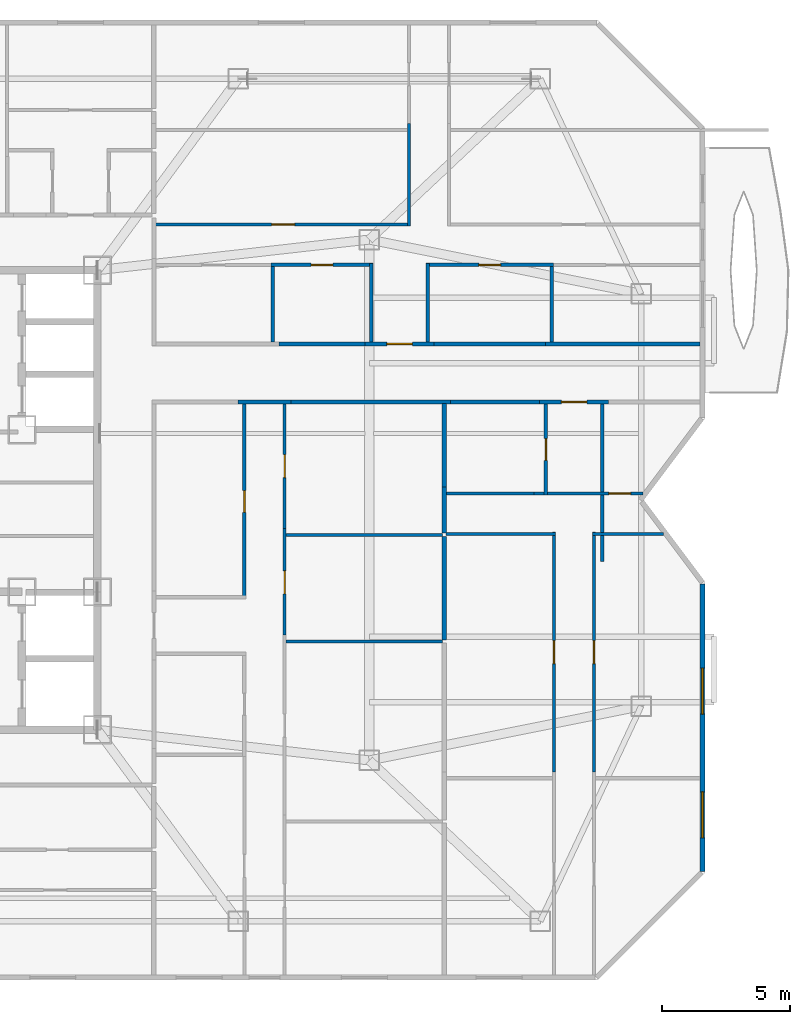
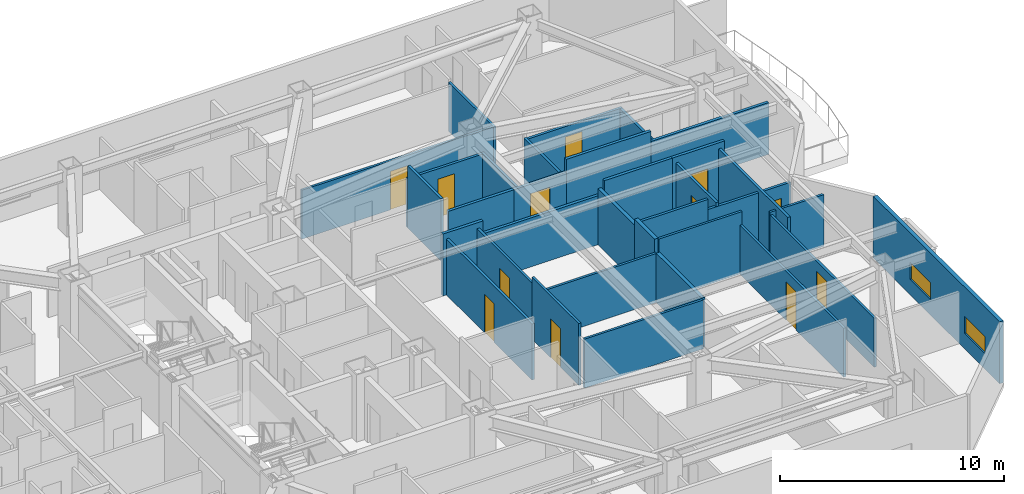
# One storey, part 16 of 20: 33 walls, 12 doors, 2 windows, 14 openings.
"""IFC4 building model written with IfcOpenShell, lengths in metres."""

from ifc_helpers import new_model, si_unit, direction, frame, frame_2d, origin, place, context, subcontext, project, spatial, rectangle, extrude, material, layer, layer_set, type_object, element, fill, save


model = new_model("IFC4")

# Units and contexts
model_context = context("Model", 3, precision=1e-05, world=origin(), true_north=direction((0.0, 1.0)))
body_context = subcontext(model_context, "Body", "Model", "MODEL_VIEW")
ifc_project = project(units=[si_unit("LENGTHUNIT", "METRE"), si_unit("AREAUNIT", "SQUARE_METRE"), si_unit("VOLUMEUNIT", "CUBIC_METRE"), si_unit("PLANEANGLEUNIT", "RADIAN"), si_unit("MASSUNIT", "GRAM", prefix="KILO")], contexts=[model_context])

# Site, building, storey
site_placement = place(None, origin())
site = spatial("IfcSite", under=ifc_project, at=site_placement, CompositionType="ELEMENT")
building_placement = place(site_placement, origin())
building = spatial("IfcBuilding", under=site, at=building_placement, Name="Khamvora Tower", CompositionType="ELEMENT")
storey_placement = place(building_placement, frame((0.0, 0.0, 203.35009765625)))
storey = spatial("IfcBuildingStorey", under=building, at=storey_placement, Name="L52", CompositionType="ELEMENT", Elevation=203.35009765625)

# Walls
ifc_material_1 = material(Name="Fire-Rated Drywall and Steel Stud", Category="steel")
ifc_layer_1 = layer(ifc_material_1, 0.14990234375)
ifc_layer_set_1 = layer_set([ifc_layer_1], Name="Fire-Rated Drywall and Steel Stud")
wall_type_1 = type_object("IfcWallType", Name="WAL-CORR-150", PredefinedType="STANDARD", material=ifc_layer_set_1)
wall_1_placement = place(storey_placement, frame((46.987060546875, 31.8349609375, 0.0), z_axis=(0.0, 0.0, 1.0), x_axis=(-1.0, 0.0, 0.0)))
element("IfcWall", 1, at=wall_1_placement, inside=storey, type_object=wall_type_1, Name="L52 interior partition wall 026", PredefinedType="STANDARD", context=body_context, shape_type="SweptSolid", body=[
    extrude(rectangle(XDim=2.078125, YDim=0.14990234375, at=frame_2d((1.0390625, 0.0))), origin(), (0.0, 0.0, 1.0), 3.369873046875),
])
wall_2_placement = place(storey_placement, frame((53.23388671875, 31.8349609375, 0.0), z_axis=(0.0, 0.0, 1.0), x_axis=(-1.0, 0.0, 0.0)))
element("IfcWall", 2, at=wall_2_placement, inside=storey, type_object=wall_type_1, Name="L52 interior partition wall 031", PredefinedType="STANDARD", context=body_context, shape_type="SweptSolid", body=[
    extrude(rectangle(XDim=6.246826171875, YDim=0.14990234375, at=frame_2d((3.12353515625, 0.0))), origin(), (0.0, 0.0, 1.0), 2.664794921875),
])

# Wall, opening, door
wall_3_placement = place(storey_placement, frame((59.4189453125, 31.8349609375, 0.0), z_axis=(0.0, 0.0, 1.0), x_axis=(-1.0, 0.0, 0.0)))
wall_3 = element("IfcWall", 3, at=wall_3_placement, inside=storey, type_object=wall_type_1, Name="L52 interior partition wall 032", PredefinedType="STANDARD", context=body_context, shape_type="SweptSolid", body=[
    extrude(rectangle(XDim=2.697998046875, YDim=0.14990234375, at=frame_2d((1.34912109375, 0.0))), origin(), (0.0, 0.0, 1.0), 3.369873046875),
])
opening_1_placement = place(wall_3_placement, frame((0.84912109375, 0.0, 0.0)))
opening_1 = element("IfcOpeningElement", 4, at=opening_1_placement, cuts=wall_3, Name="Opening D-U1", PredefinedType="OPENING", context=body_context, shape_type="SweptSolid", body=[
    extrude(rectangle(XDim=1.0, YDim=2.14990234375, at=frame_2d((0.5, 1.074951171875))), frame((0.0, 0.0849609375, 0.0), z_axis=(0.0, -1.0, 0.0), x_axis=(1.0, 0.0, 0.0)), (0.0, 0.0, 1.0), 0.169921875),
])
ifc_material_2 = material(Name="Powder-Coated Steel and Hardwood Leaf", Category="steel")
door_type_1 = type_object("IfcDoorType", Name="DOR-UNIT-1000", OperationType="NOTDEFINED", PredefinedType="DOOR", material=ifc_material_2)
door_1_placement = place(opening_1_placement, origin())
door_1 = element("IfcDoor", 5, at=door_1_placement, inside=storey, type_object=door_type_1, Name="L52 interior door COR-52EBH", OperationType="SINGLE_SWING_LEFT", OverallHeight=2.14990234375, OverallWidth=1.0, PredefinedType="DOOR", context=body_context, shape_type="SweptSolid", body=[
    extrude(rectangle(XDim=1.0, YDim=2.14990234375, at=frame_2d((0.5, 1.074951171875))), frame((0.0, 0.02490234375, 0.0), z_axis=(0.0, -1.0, 0.0), x_axis=(1.0, 0.0, 0.0)), (0.0, 0.0, 1.0), 0.050048828125),
])
fill(opening_1, door_1)

# Walls
wall_4_placement = place(storey_placement, frame((56.720947265625, 31.8349609375, 0.0), z_axis=(0.0, 0.0, 1.0), x_axis=(-1.0, 0.0, 0.0)))
element("IfcWall", 6, at=wall_4_placement, inside=storey, type_object=wall_type_1, Name="L52 interior partition wall 034", PredefinedType="STANDARD", context=body_context, shape_type="SweptSolid", body=[
    extrude(rectangle(XDim=3.487060546875, YDim=0.14990234375, at=frame_2d((1.74365234375, 0.0))), origin(), (0.0, 0.0, 1.0), 3.369873046875),
])
wall_5_placement = place(storey_placement, frame((56.950927734375, 34.114990234375, 0.0), z_axis=(0.0, 0.0, 1.0), x_axis=(1.0, 0.0, 0.0)))
element("IfcWall", 7, at=wall_5_placement, inside=storey, type_object=wall_type_1, Name="L52 interior partition wall 037", PredefinedType="STANDARD", context=body_context, shape_type="SweptSolid", body=[
    extrude(rectangle(XDim=6.05712890625, YDim=0.14990234375, at=frame_2d((3.028564453125, 0.0))), origin(), (0.0, 0.0, 1.0), 2.81591796875),
])

# Wall, opening, door
wall_6_placement = place(storey_placement, frame((49.885986328125, 34.114990234375, 0.0), z_axis=(0.0, 0.0, 1.0), x_axis=(1.0, 0.0, 0.0)))
wall_6 = element("IfcWall", 8, at=wall_6_placement, inside=storey, type_object=wall_type_1, Name="L52 interior partition wall 039", PredefinedType="STANDARD", context=body_context, shape_type="SweptSolid", body=[
    extrude(rectangle(XDim=2.697998046875, YDim=0.14990234375, at=frame_2d((1.34912109375, 0.0))), origin(), (0.0, 0.0, 1.0), 2.664794921875),
])
opening_2_placement = place(wall_6_placement, frame((0.84912109375, 0.0, 0.0)))
opening_2 = element("IfcOpeningElement", 9, at=opening_2_placement, cuts=wall_6, Name="Opening D-U1", PredefinedType="OPENING", context=body_context, shape_type="SweptSolid", body=[
    extrude(rectangle(XDim=1.0, YDim=2.14990234375, at=frame_2d((0.5, 1.074951171875))), frame((0.0, 0.0849609375, 0.0), z_axis=(0.0, -1.0, 0.0), x_axis=(1.0, 0.0, 0.0)), (0.0, 0.0, 1.0), 0.169921875),
])
door_2_placement = place(opening_2_placement, origin())
door_2 = element("IfcDoor", 10, at=door_2_placement, inside=storey, type_object=door_type_1, Name="L52 interior door COR-52ECH", OperationType="SINGLE_SWING_RIGHT", OverallHeight=2.14990234375, OverallWidth=1.0, PredefinedType="DOOR", context=body_context, shape_type="SweptSolid", body=[
    extrude(rectangle(XDim=1.0, YDim=2.14990234375, at=frame_2d((0.5, 1.074951171875))), frame((0.0, 0.02490234375, 0.0), z_axis=(0.0, -1.0, 0.0), x_axis=(1.0, 0.0, 0.0)), (0.0, 0.0, 1.0), 0.050048828125),
])
fill(opening_2, door_2)

# Walls
wall_7_placement = place(storey_placement, frame((46.51904296875, 34.114990234375, 0.0), z_axis=(0.0, 0.0, 1.0), x_axis=(1.0, 0.0, 0.0)))
element("IfcWall", 11, at=wall_7_placement, inside=storey, type_object=wall_type_1, Name="L52 interior partition wall 040", PredefinedType="STANDARD", context=body_context, shape_type="SweptSolid", body=[
    extrude(rectangle(XDim=3.366943359375, YDim=0.14990234375, at=frame_2d((1.68359375, 0.0))), origin(), (0.0, 0.0, 1.0), 2.664794921875),
])
wall_8_placement = place(storey_placement, frame((52.583984375, 34.114990234375, 0.0), z_axis=(0.0, 0.0, 1.0), x_axis=(1.0, 0.0, 0.0)))
element("IfcWall", 12, at=wall_8_placement, inside=storey, type_object=wall_type_1, Name="L52 interior partition wall 041", PredefinedType="STANDARD", context=body_context, shape_type="SweptSolid", body=[
    extrude(rectangle(XDim=4.366943359375, YDim=0.14990234375, at=frame_2d((2.18359375, 0.0))), origin(), (0.0, 0.0, 1.0), 3.369873046875),
])
ifc_material_3 = material(Name="Acoustic Double-Stud Fire Wall", Category="gypsum")
ifc_layer_2 = layer(ifc_material_3, 0.179931640625)
ifc_layer_set_2 = layer_set([ifc_layer_2], Name="Acoustic Double-Stud Fire Wall")
wall_type_2 = type_object("IfcWallType", Name="WAL-CORR-180", PredefinedType="STANDARD", material=ifc_layer_set_2)
wall_9_placement = place(storey_placement, frame((52.985107421875, 26.570068359375, 0.0), z_axis=(0.0, 0.0, 1.0), x_axis=(0.0, -1.0, 0.0)))
element("IfcWall", 13, at=wall_9_placement, inside=storey, type_object=wall_type_2, Name="L52 interior partition wall 118", PredefinedType="STANDARD", context=body_context, shape_type="SweptSolid", body=[
    extrude(rectangle(XDim=4.045166015625, YDim=0.179931640625, at=frame_2d((2.0224609375, 0.0))), origin(), (0.0, 0.0, 1.0), 2.68701171875),
])
wall_10_placement = place(storey_placement, frame((52.985107421875, 28.50390625, 0.0), z_axis=(0.0, 0.0, 1.0), x_axis=(0.0, -1.0, 0.0)))
element("IfcWall", 14, at=wall_10_placement, inside=storey, type_object=wall_type_2, Name="L52 interior partition wall 119", PredefinedType="STANDARD", context=body_context, shape_type="SweptSolid", body=[
    extrude(rectangle(XDim=1.803955078125, YDim=0.179931640625, at=frame_2d((0.90185546875, 0.0))), origin(), (0.0, 0.0, 1.0), 3.369873046875),
])
wall_11_placement = place(storey_placement, frame((52.985107421875, 31.77001953125, 0.0), z_axis=(0.0, 0.0, 1.0), x_axis=(0.0, -1.0, 0.0)))
element("IfcWall", 15, at=wall_11_placement, inside=storey, type_object=wall_type_2, Name="L52 interior partition wall 120", PredefinedType="STANDARD", context=body_context, shape_type="SweptSolid", body=[
    extrude(rectangle(XDim=3.26611328125, YDim=0.179931640625, at=frame_2d((1.633056640625, 0.0))), origin(), (0.0, 0.0, 1.0), 3.046875),
])

# Wall, openings, windows
ifc_material_4 = material(Name="Precast concrete C40/50", Category="concrete")
ifc_layer_3 = layer(ifc_material_4, 0.199951171875)
ifc_layer_set_3 = layer_set([ifc_layer_3], Name="Precast concrete C40/50")
wall_type_3 = type_object("IfcWallType", Name="WAL-EXT-200", PredefinedType="STANDARD", material=ifc_layer_set_3)
wall_12_placement = place(storey_placement, frame((63.10009765625, 24.717041015625, 0.0), z_axis=(0.0, 0.0, 1.0), x_axis=(0.0, -1.0, 0.0)))
wall_12 = element("IfcWall", 16, at=wall_12_placement, inside=storey, type_object=wall_type_3, Name="L52 exterior facade wall 12.1", PredefinedType="STANDARD", context=body_context, shape_type="SweptSolid", body=[
    extrude(rectangle(XDim=11.276123046875, YDim=0.199951171875, at=frame_2d((5.63818359375, 0.0))), origin(), (0.0, 0.0, 1.0), 3.369873046875),
])
opening_3_placement = place(wall_12_placement, frame((8.153076171875, 0.0, 0.85009765625)))
opening_3 = element("IfcOpeningElement", 17, at=opening_3_placement, cuts=wall_12, Name="Opening WN-09", PredefinedType="OPENING", context=body_context, shape_type="SweptSolid", body=[
    extrude(rectangle(XDim=1.800048828125, YDim=0.919921875, at=frame_2d((0.89990234375, 0.4599609375))), frame((0.0, 0.10986328125, 0.0), z_axis=(0.0, -1.0, 0.0), x_axis=(1.0, 0.0, 0.0)), (0.0, 0.0, 1.0), 0.219970703125),
])
opening_4_placement = place(wall_12_placement, frame((3.299072265625, 0.0, 0.85009765625)))
opening_4 = element("IfcOpeningElement", 18, at=opening_4_placement, cuts=wall_12, Name="Opening WN-09", PredefinedType="OPENING", context=body_context, shape_type="SweptSolid", body=[
    extrude(rectangle(XDim=1.800048828125, YDim=0.919921875, at=frame_2d((0.89990234375, 0.4599609375))), frame((0.0, 0.10986328125, 0.0), z_axis=(0.0, -1.0, 0.0), x_axis=(1.0, 0.0, 0.0)), (0.0, 0.0, 1.0), 0.219970703125),
])
ifc_material_5 = material(Name="Low-E Laminated Double Glazing", Category="glass")
window_type = type_object("IfcWindowType", Name="WIN-CLR-1800x920", PartitioningType="SINGLE_PANEL", PredefinedType="WINDOW", material=ifc_material_5)
window_1_placement = place(opening_3_placement, origin())
window_1 = element("IfcWindow", 19, at=window_1_placement, inside=storey, type_object=window_type, Name="L52 vision window 12.1.01", OverallHeight=0.919921875, OverallWidth=1.800048828125, PartitioningType="SINGLE_PANEL", PredefinedType="WINDOW", context=body_context, shape_type="SweptSolid", body=[
    extrude(rectangle(XDim=1.800048828125, YDim=0.919921875, at=frame_2d((0.89990234375, 0.4599609375))), frame((0.0, 0.030029296875, 0.0), z_axis=(0.0, -1.0, 0.0), x_axis=(1.0, 0.0, 0.0)), (0.0, 0.0, 1.0), 0.06005859375),
])
fill(opening_3, window_1)
window_2_placement = place(opening_4_placement, origin())
window_2 = element("IfcWindow", 20, at=window_2_placement, inside=storey, type_object=window_type, Name="L52 vision window 12.1.02", OverallHeight=0.919921875, OverallWidth=1.800048828125, PartitioningType="SINGLE_PANEL", PredefinedType="WINDOW", context=body_context, shape_type="SweptSolid", body=[
    extrude(rectangle(XDim=1.800048828125, YDim=0.919921875, at=frame_2d((0.89990234375, 0.4599609375))), frame((0.0, 0.030029296875, 0.0), z_axis=(0.0, -1.0, 0.0), x_axis=(1.0, 0.0, 0.0)), (0.0, 0.0, 1.0), 0.06005859375),
])
fill(opening_4, window_2)

# Wall, opening, door
ifc_material_6 = material(Name="Gypsum Plasterboard Partition", Category="gypsum")
ifc_layer_4 = layer(ifc_material_6, 0.1201171875)
ifc_layer_set_4 = layer_set([ifc_layer_4], Name="Gypsum Plasterboard Partition")
wall_type_4 = type_object("IfcWallType", Name="WAL-PART-120", PredefinedType="PARTITIONING", material=ifc_layer_set_4)
wall_13_placement = place(storey_placement, frame((46.738037109375, 26.884033203125, 0.0), z_axis=(0.0, 0.0, 1.0), x_axis=(0.0, -1.0, 0.0)))
wall_13 = element("IfcWall", 21, at=wall_13_placement, inside=storey, type_object=wall_type_4, Name="L52 interior partition wall 110", PredefinedType="PARTITIONING", context=body_context, shape_type="SweptSolid", body=[
    extrude(rectangle(XDim=4.174072265625, YDim=0.1201171875, at=frame_2d((2.0869140625, 0.0))), origin(), (0.0, 0.0, 1.0), 3.369873046875),
])
opening_5_placement = place(wall_13_placement, frame((1.657958984375, 0.0, 0.0)))
opening_5 = element("IfcOpeningElement", 22, at=opening_5_placement, cuts=wall_13, Name="Opening D-RM1", PredefinedType="OPENING", context=body_context, shape_type="SweptSolid", body=[
    extrude(rectangle(XDim=0.89990234375, YDim=2.10009765625, at=frame_2d((0.449951171875, 1.050048828125))), frame((0.0, 0.070068359375, 0.0), z_axis=(0.0, -1.0, 0.0), x_axis=(1.0, 0.0, 0.0)), (0.0, 0.0, 1.0), 0.14013671875),
])
door_type_2 = type_object("IfcDoorType", Name="DOR-ROOM-900", OperationType="NOTDEFINED", PredefinedType="DOOR", material=ifc_material_2)
door_3_placement = place(opening_5_placement, origin())
door_3 = element("IfcDoor", 23, at=door_3_placement, inside=storey, type_object=door_type_2, Name="L52 interior door 52EAH-52EAR3", OperationType="SINGLE_SWING_RIGHT", OverallHeight=2.10009765625, OverallWidth=0.89990234375, PredefinedType="DOOR", context=body_context, shape_type="SweptSolid", body=[
    extrude(rectangle(XDim=0.89990234375, YDim=2.10009765625, at=frame_2d((0.449951171875, 1.050048828125))), frame((0.0, 0.02490234375, 0.0), z_axis=(0.0, -1.0, 0.0), x_axis=(1.0, 0.0, 0.0)), (0.0, 0.0, 1.0), 0.050048828125),
])
fill(opening_5, door_3)

wall_14_placement = place(storey_placement, frame((46.738037109375, 31.77001953125, 0.0), z_axis=(0.0, 0.0, 1.0), x_axis=(0.0, -1.0, 0.0)))
wall_14 = element("IfcWall", 24, at=wall_14_placement, inside=storey, type_object=wall_type_4, Name="L52 interior partition wall 111", PredefinedType="PARTITIONING", context=body_context, shape_type="SweptSolid", body=[
    extrude(rectangle(XDim=4.885986328125, YDim=0.1201171875, at=frame_2d((2.44287109375, 0.0))), origin(), (0.0, 0.0, 1.0), 3.046875),
])
opening_6_placement = place(wall_14_placement, frame((1.992919921875, 0.0, 0.0)))
opening_6 = element("IfcOpeningElement", 25, at=opening_6_placement, cuts=wall_14, Name="Opening D-RM1", PredefinedType="OPENING", context=body_context, shape_type="SweptSolid", body=[
    extrude(rectangle(XDim=0.89990234375, YDim=2.10009765625, at=frame_2d((0.449951171875, 1.050048828125))), frame((0.0, 0.070068359375, 0.0), z_axis=(0.0, -1.0, 0.0), x_axis=(1.0, 0.0, 0.0)), (0.0, 0.0, 1.0), 0.14013671875),
])
door_4_placement = place(opening_6_placement, origin())
door_4 = element("IfcDoor", 26, at=door_4_placement, inside=storey, type_object=door_type_2, Name="L52 interior door 52EAH-52EAR4", OperationType="SINGLE_SWING_LEFT", OverallHeight=2.10009765625, OverallWidth=0.89990234375, PredefinedType="DOOR", context=body_context, shape_type="SweptSolid", body=[
    extrude(rectangle(XDim=0.89990234375, YDim=2.10009765625, at=frame_2d((0.449951171875, 1.050048828125))), frame((0.0, 0.02490234375, 0.0), z_axis=(0.0, -1.0, 0.0), x_axis=(1.0, 0.0, 0.0)), (0.0, 0.0, 1.0), 0.050048828125),
])
fill(opening_6, door_4)

# Walls
for number, where, z_axis, x_axis, name in (
    (27, (46.7919921875, 22.4599609375, 0.0), (0.0, 0.0, 1.0), (1.0, 0.0, 0.0), "L52 interior partition wall 114"),
    (28, (46.7919921875, 26.635009765625, 0.0), (0.0, 0.0, 1.0), (1.0, 0.0, 0.0), "L52 interior partition wall 117"),
):
    element("IfcWall", number, at=place(storey_placement, frame(where, z_axis=z_axis, x_axis=x_axis)), inside=storey, type_object=wall_type_4, Name=name, PredefinedType="PARTITIONING", context=body_context, shape_type="SweptSolid", body=[
        extrude(rectangle(XDim=6.1279296875, YDim=0.1201171875, at=frame_2d((3.06396484375, 0.0))), origin(), (0.0, 0.0, 1.0), 2.664794921875),
    ])

# Wall, opening, door
wall_15_placement = place(storey_placement, frame((57.284912109375, 17.35205078125, 0.0), z_axis=(0.0, 0.0, 1.0), x_axis=(0.0, 1.0, 0.0)))
wall_15 = element("IfcWall", 29, at=wall_15_placement, inside=storey, type_object=wall_type_4, Name="L52 interior partition wall 126", PredefinedType="PARTITIONING", context=body_context, shape_type="SweptSolid", body=[
    extrude(rectangle(XDim=9.387939453125, YDim=0.1201171875, at=frame_2d((4.69384765625, 0.0))), origin(), (0.0, 0.0, 1.0), 2.664794921875),
])
opening_7_placement = place(wall_15_placement, frame((4.243896484375, 0.0, 0.0)))
opening_7 = element("IfcOpeningElement", 30, at=opening_7_placement, cuts=wall_15, Name="Opening D-RM1", PredefinedType="OPENING", context=body_context, shape_type="SweptSolid", body=[
    extrude(rectangle(XDim=0.89990234375, YDim=2.10009765625, at=frame_2d((0.449951171875, 1.050048828125))), frame((0.0, 0.070068359375, 0.0), z_axis=(0.0, -1.0, 0.0), x_axis=(1.0, 0.0, 0.0)), (0.0, 0.0, 1.0), 0.14013671875),
])
door_5_placement = place(opening_7_placement, origin())
door_5 = element("IfcDoor", 31, at=door_5_placement, inside=storey, type_object=door_type_2, Name="L52 interior door 52EBH-52EBR2", OperationType="SINGLE_SWING_LEFT", OverallHeight=2.10009765625, OverallWidth=0.89990234375, PredefinedType="DOOR", context=body_context, shape_type="SweptSolid", body=[
    extrude(rectangle(XDim=0.89990234375, YDim=2.10009765625, at=frame_2d((0.449951171875, 1.050048828125))), frame((0.0, 0.02490234375, 0.0), z_axis=(0.0, -1.0, 0.0), x_axis=(1.0, 0.0, 0.0)), (0.0, 0.0, 1.0), 0.050048828125),
])
fill(opening_7, door_5)

# Walls
wall_16_placement = place(storey_placement, frame((57.35009765625, 26.675048828125, 0.0), z_axis=(0.0, 0.0, 1.0), x_axis=(-1.0, 0.0, 0.0)))
element("IfcWall", 32, at=wall_16_placement, inside=storey, type_object=wall_type_4, Name="L52 interior partition wall 127", PredefinedType="PARTITIONING", context=body_context, shape_type="SweptSolid", body=[
    extrude(rectangle(XDim=4.2880859375, YDim=0.1201171875, at=frame_2d((2.14404296875, 0.0))), origin(), (0.0, 0.0, 1.0), 3.369873046875),
])
wall_17_placement = place(storey_placement, frame((61.56494140625, 26.675048828125, 0.0), z_axis=(0.0, 0.0, 1.0), x_axis=(-1.0, 0.0, 0.0)))
element("IfcWall", 33, at=wall_17_placement, inside=storey, type_object=wall_type_4, Name="L52 interior partition wall 129", PredefinedType="PARTITIONING", context=body_context, shape_type="SweptSolid", body=[
    extrude(rectangle(XDim=2.77490234375, YDim=0.1201171875, at=frame_2d((1.387451171875, 0.0))), origin(), (0.0, 0.0, 1.0), 2.81591796875),
])

# Wall, opening, door
wall_18_placement = place(storey_placement, frame((58.85498046875, 26.739990234375, 0.0), z_axis=(0.0, 0.0, 1.0), x_axis=(0.0, -1.0, 0.0)))
wall_18 = element("IfcWall", 34, at=wall_18_placement, inside=storey, type_object=wall_type_4, Name="L52 interior partition wall 130", PredefinedType="PARTITIONING", context=body_context, shape_type="SweptSolid", body=[
    extrude(rectangle(XDim=9.387939453125, YDim=0.1201171875, at=frame_2d((4.69384765625, 0.0))), origin(), (0.0, 0.0, 1.0), 2.664794921875),
])
opening_8_placement = place(wall_18_placement, frame((4.243896484375, 0.0, 0.0)))
opening_8 = element("IfcOpeningElement", 35, at=opening_8_placement, cuts=wall_18, Name="Opening D-RM1", PredefinedType="OPENING", context=body_context, shape_type="SweptSolid", body=[
    extrude(rectangle(XDim=0.89990234375, YDim=2.10009765625, at=frame_2d((0.449951171875, 1.050048828125))), frame((0.0, 0.070068359375, 0.0), z_axis=(0.0, -1.0, 0.0), x_axis=(1.0, 0.0, 0.0)), (0.0, 0.0, 1.0), 0.14013671875),
])
door_6_placement = place(opening_8_placement, origin())
door_6 = element("IfcDoor", 36, at=door_6_placement, inside=storey, type_object=door_type_2, Name="L52 interior door 52EBH-52EBR4", OperationType="SINGLE_SWING_LEFT", OverallHeight=2.10009765625, OverallWidth=0.89990234375, PredefinedType="DOOR", context=body_context, shape_type="SweptSolid", body=[
    extrude(rectangle(XDim=0.89990234375, YDim=2.10009765625, at=frame_2d((0.449951171875, 1.050048828125))), frame((0.0, 0.02490234375, 0.0), z_axis=(0.0, -1.0, 0.0), x_axis=(1.0, 0.0, 0.0)), (0.0, 0.0, 1.0), 0.050048828125),
])
fill(opening_8, door_6)

wall_19_placement = place(storey_placement, frame((41.681884765625, 38.787109375, 0.0), z_axis=(0.0, 0.0, 1.0), x_axis=(1.0, 0.0, 0.0)))
wall_19 = element("IfcWall", 37, at=wall_19_placement, inside=storey, type_object=wall_type_4, Name="L52 interior partition wall 141", PredefinedType="PARTITIONING", context=body_context, shape_type="SweptSolid", body=[
    extrude(rectangle(XDim=9.983154296875, YDim=0.1201171875, at=frame_2d((4.99169921875, 0.0))), origin(), (0.0, 0.0, 1.0), 2.664794921875),
])
opening_9_placement = place(wall_19_placement, frame((4.5419921875, 0.0, 0.0)))
opening_9 = element("IfcOpeningElement", 38, at=opening_9_placement, cuts=wall_19, Name="Opening D-RM1", PredefinedType="OPENING", context=body_context, shape_type="SweptSolid", body=[
    extrude(rectangle(XDim=0.89990234375, YDim=2.10009765625, at=frame_2d((0.449951171875, 1.050048828125))), frame((0.0, 0.070068359375, 0.0), z_axis=(0.0, -1.0, 0.0), x_axis=(1.0, 0.0, 0.0)), (0.0, 0.0, 1.0), 0.14013671875),
])
door_7_placement = place(opening_9_placement, origin())
door_7 = element("IfcDoor", 39, at=door_7_placement, inside=storey, type_object=door_type_2, Name="L52 interior door 52ECH-52ECR1", OperationType="SINGLE_SWING_LEFT", OverallHeight=2.10009765625, OverallWidth=0.89990234375, PredefinedType="DOOR", context=body_context, shape_type="SweptSolid", body=[
    extrude(rectangle(XDim=0.89990234375, YDim=2.10009765625, at=frame_2d((0.449951171875, 1.050048828125))), frame((0.0, 0.02490234375, 0.0), z_axis=(0.0, -1.0, 0.0), x_axis=(1.0, 0.0, 0.0)), (0.0, 0.0, 1.0), 0.050048828125),
])
fill(opening_9, door_7)

# Wall
wall_20_placement = place(storey_placement, frame((51.60009765625, 38.721923828125, 0.0), z_axis=(0.0, 0.0, 1.0), x_axis=(0.0, 1.0, 0.0)))
element("IfcWall", 40, at=wall_20_placement, inside=storey, type_object=wall_type_4, Name="L52 interior partition wall 142", PredefinedType="PARTITIONING", context=body_context, shape_type="SweptSolid", body=[
    extrude(rectangle(XDim=4.02001953125, YDim=0.1201171875, at=frame_2d((2.010009765625, 0.0))), origin(), (0.0, 0.0, 1.0), 2.664794921875),
])

# Wall, opening, door
ifc_material_7 = material(Name="Moisture-Resistant Plasterboard Partition", Category="gypsum")
ifc_layer_5 = layer(ifc_material_7, 0.135009765625)
ifc_layer_set_5 = layer_set([ifc_layer_5], Name="Moisture-Resistant Plasterboard Partition")
wall_type_5 = type_object("IfcWallType", Name="WAL-WET-135", PredefinedType="PARTITIONING", material=ifc_layer_set_5)
wall_21_placement = place(storey_placement, frame((45.157958984375, 24.118896484375, 0.0), z_axis=(0.0, 0.0, 1.0), x_axis=(0.0, 1.0, 0.0)))
wall_21 = element("IfcWall", 41, at=wall_21_placement, inside=storey, type_object=wall_type_5, Name="L52 interior partition wall 107", PredefinedType="PARTITIONING", context=body_context, shape_type="SweptSolid", body=[
    extrude(rectangle(XDim=7.651123046875, YDim=0.135009765625, at=frame_2d((3.82568359375, 0.0))), origin(), (0.0, 0.0, 1.0), 3.046875),
])
opening_10_placement = place(wall_21_placement, frame((3.40087890625, 0.0, 0.0)))
opening_10 = element("IfcOpeningElement", 42, at=opening_10_placement, cuts=wall_21, Name="Opening D-RM2", PredefinedType="OPENING", context=body_context, shape_type="SweptSolid", body=[
    extrude(rectangle(XDim=0.85009765625, YDim=2.10009765625, at=frame_2d((0.425048828125, 1.050048828125))), frame((0.0, 0.077392578125, 0.0), z_axis=(0.0, -1.0, 0.0), x_axis=(1.0, 0.0, 0.0)), (0.0, 0.0, 1.0), 0.155029296875),
])
door_type_3 = type_object("IfcDoorType", Name="DOR-ROOM-850", OperationType="NOTDEFINED", PredefinedType="DOOR", material=ifc_material_2)
door_8_placement = place(opening_10_placement, origin())
door_8 = element("IfcDoor", 43, at=door_8_placement, inside=storey, type_object=door_type_3, Name="L52 interior door 52EAH-52EAK", OperationType="SINGLE_SWING_LEFT", OverallHeight=2.10009765625, OverallWidth=0.85009765625, PredefinedType="DOOR", context=body_context, shape_type="SweptSolid", body=[
    extrude(rectangle(XDim=0.85009765625, YDim=2.10009765625, at=frame_2d((0.425048828125, 1.050048828125))), frame((0.0, 0.02490234375, 0.0), z_axis=(0.0, -1.0, 0.0), x_axis=(1.0, 0.0, 0.0)), (0.0, 0.0, 1.0), 0.050048828125),
])
fill(opening_10, door_8)

# Wall
wall_22_placement = place(storey_placement, frame((59.169921875, 31.77001953125, 0.0), z_axis=(0.0, 0.0, 1.0), x_axis=(0.0, -1.0, 0.0)))
element("IfcWall", 44, at=wall_22_placement, inside=storey, type_object=wall_type_5, Name="L52 interior partition wall 121", PredefinedType="PARTITIONING", context=body_context, shape_type="SweptSolid", body=[
    extrude(rectangle(XDim=6.179931640625, YDim=0.135009765625, at=frame_2d((3.08984375, 0.0))), origin(), (0.0, 0.0, 1.0), 3.046875),
])

# Wall, opening, door
wall_23_placement = place(storey_placement, frame((56.5048828125, 28.2548828125, 0.0), z_axis=(0.0, 0.0, 1.0), x_axis=(1.0, 0.0, 0.0)))
wall_23 = element("IfcWall", 45, at=wall_23_placement, inside=storey, type_object=wall_type_5, Name="L52 interior partition wall 122", PredefinedType="PARTITIONING", context=body_context, shape_type="SweptSolid", body=[
    extrude(rectangle(XDim=4.257080078125, YDim=0.135009765625, at=frame_2d((2.12841796875, 0.0))), origin(), (0.0, 0.0, 1.0), 2.81591796875),
])
opening_11_placement = place(wall_23_placement, frame((2.93310546875, 0.0, 0.0)))
opening_11 = element("IfcOpeningElement", 46, at=opening_11_placement, cuts=wall_23, Name="Opening D-WC1", PredefinedType="OPENING", context=body_context, shape_type="SweptSolid", body=[
    extrude(rectangle(XDim=0.85009765625, YDim=2.10009765625, at=frame_2d((0.425048828125, 1.050048828125))), frame((0.0, 0.077392578125, 0.0), z_axis=(0.0, -1.0, 0.0), x_axis=(1.0, 0.0, 0.0)), (0.0, 0.0, 1.0), 0.155029296875),
])
door_type_4 = type_object("IfcDoorType", Name="DOR-WET-850", OperationType="NOTDEFINED", PredefinedType="DOOR", material=ifc_material_2)
door_9_placement = place(opening_11_placement, origin())
door_9 = element("IfcDoor", 47, at=door_9_placement, inside=storey, type_object=door_type_4, Name="L52 interior door 52EBH-52EBB", OperationType="SINGLE_SWING_RIGHT", OverallHeight=2.10009765625, OverallWidth=0.85009765625, PredefinedType="DOOR", context=body_context, shape_type="SweptSolid", body=[
    extrude(rectangle(XDim=0.85009765625, YDim=2.10009765625, at=frame_2d((0.425048828125, 1.050048828125))), frame((0.0, 0.02490234375, 0.0), z_axis=(0.0, -1.0, 0.0), x_axis=(1.0, 0.0, 0.0)), (0.0, 0.0, 1.0), 0.050048828125),
])
fill(opening_11, door_9)

# Wall
wall_24_placement = place(storey_placement, frame((53.06689453125, 28.2548828125, 0.0), z_axis=(0.0, 0.0, 1.0), x_axis=(1.0, 0.0, 0.0)))
element("IfcWall", 48, at=wall_24_placement, inside=storey, type_object=wall_type_5, Name="L52 interior partition wall 123", PredefinedType="PARTITIONING", context=body_context, shape_type="SweptSolid", body=[
    extrude(rectangle(XDim=3.43798828125, YDim=0.135009765625, at=frame_2d((1.718994140625, 0.0))), origin(), (0.0, 0.0, 1.0), 3.369873046875),
])

# Wall, opening, door
wall_25_placement = place(storey_placement, frame((56.969970703125, 28.18994140625, 0.0), z_axis=(0.0, 0.0, 1.0), x_axis=(0.0, 1.0, 0.0)))
wall_25 = element("IfcWall", 49, at=wall_25_placement, inside=storey, type_object=wall_type_5, Name="L52 interior partition wall 124", PredefinedType="PARTITIONING", context=body_context, shape_type="SweptSolid", body=[
    extrude(rectangle(XDim=3.580078125, YDim=0.135009765625, at=frame_2d((1.7900390625, 0.0))), origin(), (0.0, 0.0, 1.0), 3.046875),
])
opening_12_placement = place(wall_25_placement, frame((1.364990234375, 0.0, 0.0)))
opening_12 = element("IfcOpeningElement", 50, at=opening_12_placement, cuts=wall_25, Name="Opening D-RM2", PredefinedType="OPENING", context=body_context, shape_type="SweptSolid", body=[
    extrude(rectangle(XDim=0.85009765625, YDim=2.10009765625, at=frame_2d((0.425048828125, 1.050048828125))), frame((0.0, 0.077392578125, 0.0), z_axis=(0.0, -1.0, 0.0), x_axis=(1.0, 0.0, 0.0)), (0.0, 0.0, 1.0), 0.155029296875),
])
door_10_placement = place(opening_12_placement, origin())
door_10 = element("IfcDoor", 51, at=door_10_placement, inside=storey, type_object=door_type_3, Name="L52 interior door 52EBH-52EBK", OperationType="SINGLE_SWING_LEFT", OverallHeight=2.10009765625, OverallWidth=0.85009765625, PredefinedType="DOOR", context=body_context, shape_type="SweptSolid", body=[
    extrude(rectangle(XDim=0.85009765625, YDim=2.10009765625, at=frame_2d((0.425048828125, 1.050048828125))), frame((0.0, 0.02490234375, 0.0), z_axis=(0.0, -1.0, 0.0), x_axis=(1.0, 0.0, 0.0)), (0.0, 0.0, 1.0), 0.050048828125),
])
fill(opening_12, door_10)

# Walls
wall_26_placement = place(storey_placement, frame((46.27001953125, 37.14208984375, 0.0), z_axis=(0.0, 0.0, 1.0), x_axis=(0.0, -1.0, 0.0)))
element("IfcWall", 52, at=wall_26_placement, inside=storey, type_object=wall_type_5, Name="L52 interior partition wall 134", PredefinedType="PARTITIONING", context=body_context, shape_type="SweptSolid", body=[
    extrude(rectangle(XDim=2.960205078125, YDim=0.135009765625, at=frame_2d((1.47998046875, 0.0))), origin(), (0.0, 0.0, 1.0), 3.369873046875),
])
wall_27_placement = place(storey_placement, frame((57.199951171875, 34.181884765625, 0.0), z_axis=(0.0, 0.0, 1.0), x_axis=(0.0, 1.0, 0.0)))
element("IfcWall", 53, at=wall_27_placement, inside=storey, type_object=wall_type_5, Name="L52 interior partition wall 136", PredefinedType="PARTITIONING", context=body_context, shape_type="SweptSolid", body=[
    extrude(rectangle(XDim=2.960205078125, YDim=0.135009765625, at=frame_2d((1.47998046875, 0.0))), origin(), (0.0, 0.0, 1.0), 2.664794921875),
])
wall_28_placement = place(storey_placement, frame((50.135009765625, 34.181884765625, 0.0), z_axis=(0.0, 0.0, 1.0), x_axis=(0.0, 1.0, 0.0)))
element("IfcWall", 54, at=wall_28_placement, inside=storey, type_object=wall_type_5, Name="L52 interior partition wall 137", PredefinedType="PARTITIONING", context=body_context, shape_type="SweptSolid", body=[
    extrude(rectangle(XDim=3.090087890625, YDim=0.135009765625, at=frame_2d((1.544921875, 0.0))), origin(), (0.0, 0.0, 1.0), 2.664794921875),
])

# Wall, opening, door
wall_29_placement = place(storey_placement, frame((50.199951171875, 37.20703125, 0.0), z_axis=(0.0, 0.0, 1.0), x_axis=(-1.0, 0.0, 0.0)))
wall_29 = element("IfcWall", 55, at=wall_29_placement, inside=storey, type_object=wall_type_5, Name="L52 interior partition wall 138", PredefinedType="PARTITIONING", context=body_context, shape_type="SweptSolid", body=[
    extrude(rectangle(XDim=3.994873046875, YDim=0.135009765625, at=frame_2d((1.99755859375, 0.0))), origin(), (0.0, 0.0, 1.0), 2.664794921875),
])
opening_13_placement = place(wall_29_placement, frame((1.572998046875, 0.0, 0.0)))
opening_13 = element("IfcOpeningElement", 56, at=opening_13_placement, cuts=wall_29, Name="Opening D-WC1", PredefinedType="OPENING", context=body_context, shape_type="SweptSolid", body=[
    extrude(rectangle(XDim=0.85009765625, YDim=2.10009765625, at=frame_2d((0.425048828125, 1.050048828125))), frame((0.0, 0.077392578125, 0.0), z_axis=(0.0, -1.0, 0.0), x_axis=(1.0, 0.0, 0.0)), (0.0, 0.0, 1.0), 0.155029296875),
])
door_11_placement = place(opening_13_placement, origin())
door_11 = element("IfcDoor", 57, at=door_11_placement, inside=storey, type_object=door_type_4, Name="L52 interior door 52ECH-52ECB", OperationType="SINGLE_SWING_LEFT", OverallHeight=2.10009765625, OverallWidth=0.85009765625, PredefinedType="DOOR", context=body_context, shape_type="SweptSolid", body=[
    extrude(rectangle(XDim=0.85009765625, YDim=2.10009765625, at=frame_2d((0.425048828125, 1.050048828125))), frame((0.0, 0.02490234375, 0.0), z_axis=(0.0, -1.0, 0.0), x_axis=(1.0, 0.0, 0.0)), (0.0, 0.0, 1.0), 0.050048828125),
])
fill(opening_13, door_11)

wall_30_placement = place(storey_placement, frame((57.264892578125, 37.20703125, 0.0), z_axis=(0.0, 0.0, 1.0), x_axis=(-1.0, 0.0, 0.0)))
wall_30 = element("IfcWall", 58, at=wall_30_placement, inside=storey, type_object=wall_type_5, Name="L52 interior partition wall 139", PredefinedType="PARTITIONING", context=body_context, shape_type="SweptSolid", body=[
    extrude(rectangle(XDim=4.994873046875, YDim=0.135009765625, at=frame_2d((2.49755859375, 0.0))), origin(), (0.0, 0.0, 1.0), 2.664794921875),
])
opening_14_placement = place(wall_30_placement, frame((2.072998046875, 0.0, 0.0)))
opening_14 = element("IfcOpeningElement", 59, at=opening_14_placement, cuts=wall_30, Name="Opening D-RM2", PredefinedType="OPENING", context=body_context, shape_type="SweptSolid", body=[
    extrude(rectangle(XDim=0.85009765625, YDim=2.10009765625, at=frame_2d((0.425048828125, 1.050048828125))), frame((0.0, 0.077392578125, 0.0), z_axis=(0.0, -1.0, 0.0), x_axis=(1.0, 0.0, 0.0)), (0.0, 0.0, 1.0), 0.155029296875),
])
door_12_placement = place(opening_14_placement, origin())
door_12 = element("IfcDoor", 60, at=door_12_placement, inside=storey, type_object=door_type_3, Name="L52 interior door 52ECH-52ECK", OperationType="SINGLE_SWING_RIGHT", OverallHeight=2.10009765625, OverallWidth=0.85009765625, PredefinedType="DOOR", context=body_context, shape_type="SweptSolid", body=[
    extrude(rectangle(XDim=0.85009765625, YDim=2.10009765625, at=frame_2d((0.425048828125, 1.050048828125))), frame((0.0, 0.02490234375, 0.0), z_axis=(0.0, -1.0, 0.0), x_axis=(1.0, 0.0, 0.0)), (0.0, 0.0, 1.0), 0.050048828125),
])
fill(opening_14, door_12)

# Wall
wall_31_placement = place(storey_placement, frame((52.3349609375, 37.27197265625, 0.0), z_axis=(0.0, 0.0, 1.0), x_axis=(0.0, -1.0, 0.0)))
element("IfcWall", 61, at=wall_31_placement, inside=storey, type_object=wall_type_5, Name="L52 interior partition wall 140", PredefinedType="PARTITIONING", context=body_context, shape_type="SweptSolid", body=[
    extrude(rectangle(XDim=3.090087890625, YDim=0.135009765625, at=frame_2d((1.544921875, 0.0))), origin(), (0.0, 0.0, 1.0), 2.68701171875),
])

save(model, "model.ifc")
